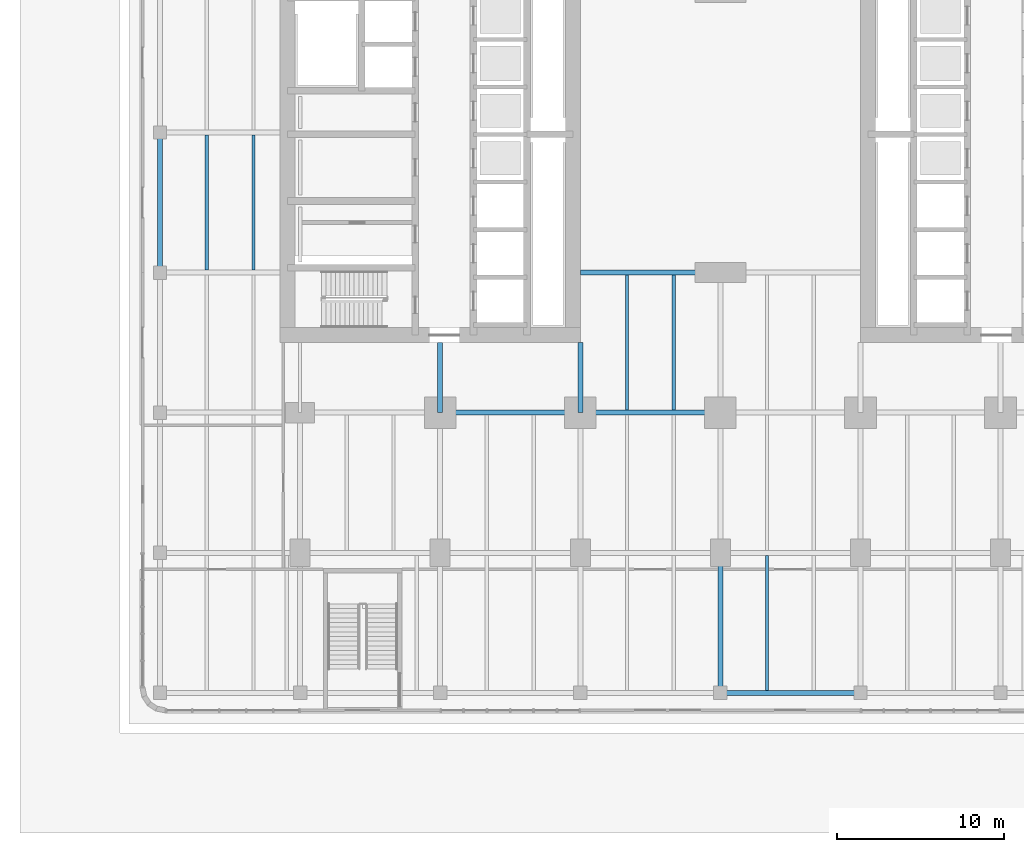
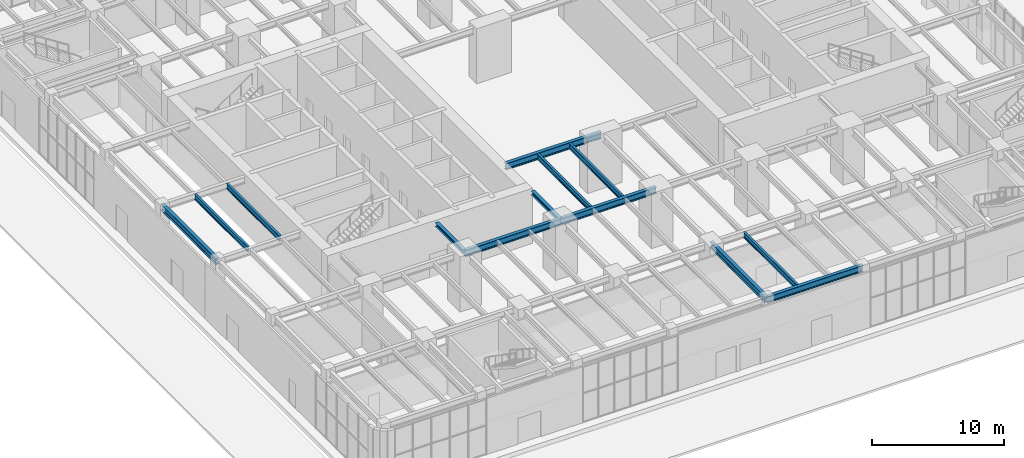
# One storey, part 4 of 31: 13 beams.
"""IFC4 building model written with IfcOpenShell, lengths in metres."""

import ifcopenshell
import ifcopenshell.guid

model = None  # the IFC model being written
_history = None  # IfcOwnerHistory: only IFC2X3 demands one
_inside = {}  # id of a spatial element -> (the spatial element, [elements in it])
_under = {}  # id of a project, library or spatial element -> (it, [spatial elements below it])
_declared = {}  # id of a project -> (the project, [libraries it declares])
_typed = {}  # id of a type object -> (the type object, [elements of that type])
_made_of = {}  # id of a material, layer set ... -> (it, [elements and type objects made of it])


def new_model(schema):
    """Start an empty IFC model of exactly this schema.

    Asked for "IFC4X3", IfcOpenShell would pick the latest addendum, in which some entities
    have other attributes; the version numbers below select the first issue.
    IFC2X3 requires an IfcOwnerHistory on every rooted entity: one is made here for all.
    """
    global model, _history
    if schema == "IFC4X3":
        model = ifcopenshell.file(schema_version=(4, 3, 0, 0))
    else:
        model = ifcopenshell.file(schema=schema)
    _inside.clear()
    _under.clear()
    _declared.clear()
    _typed.clear()
    _made_of.clear()
    _history = None
    if model.schema == "IFC2X3":
        org = make("IfcOrganization", Name="unknown")
        user = make(
            "IfcPersonAndOrganization",
            ThePerson=make("IfcPerson", FamilyName="unknown"),
            TheOrganization=org,
        )
        app = make(
            "IfcApplication",
            ApplicationDeveloper=org,
            Version="unknown",
            ApplicationFullName="unknown",
            ApplicationIdentifier="unknown",
        )
        _history = make(
            "IfcOwnerHistory",
            OwningUser=user,
            OwningApplication=app,
            ChangeAction="ADDED",
            CreationDate=0,
        )
    return model


def make(cls, **values):
    """One entity of the class cls with the attributes given. An attribute that is None is left unset."""
    return model.create_entity(
        cls, **{name: value for name, value in values.items() if value is not None}
    )


def rooted(cls, **values):
    """An entity with a GlobalId (a new one), such as an element, a storey or a relation."""
    return make(cls, GlobalId=ifcopenshell.guid.new(), OwnerHistory=_history, **values)


def si_unit(unit_type, name, prefix=None):
    """IfcSIUnit, for example si_unit("LENGTHUNIT", "METRE", prefix="MILLI")."""
    return make("IfcSIUnit", UnitType=unit_type, Prefix=prefix, Name=name)


def assignment(units):
    """IfcUnitAssignment: the units of a project."""
    return None if units is None else make("IfcUnitAssignment", Units=units)


def point(xyz):
    """IfcCartesianPoint."""
    return None if xyz is None else make("IfcCartesianPoint", Coordinates=xyz)


def direction(xyz):
    """IfcDirection."""
    return None if xyz is None else make("IfcDirection", DirectionRatios=xyz)


def frame(location, z_axis=None, x_axis=None):
    """IfcAxis2Placement3D, a coordinate frame: its origin and axes. An axis left out is left unset."""
    return make(
        "IfcAxis2Placement3D",
        Location=point(location),
        Axis=direction(z_axis),
        RefDirection=direction(x_axis),
    )


def frame_2d(location, x_axis=None):
    """IfcAxis2Placement2D, a coordinate frame in the plane: its origin and x axis."""
    return make(
        "IfcAxis2Placement2D", Location=point(location), RefDirection=direction(x_axis)
    )


def origin():
    """The frame at (0, 0, 0) with its axes left unset."""
    return frame((0.0, 0.0, 0.0))


def origin_2d():
    """The frame at (0, 0) in the plane with its x axis left unset."""
    return frame_2d((0.0, 0.0))


def place(relative_to, where):
    """IfcLocalPlacement: puts the frame where relative to a parent placement (None: the world)."""
    return make(
        "IfcLocalPlacement", PlacementRelTo=relative_to, RelativePlacement=where
    )


def context(
    kind, dimensions, precision=None, world=None, true_north=None, identifier=None
):
    """IfcGeometricRepresentationContext, for example the 3D "Model" context."""
    return make(
        "IfcGeometricRepresentationContext",
        ContextIdentifier=identifier,
        ContextType=kind,
        CoordinateSpaceDimension=dimensions,
        Precision=precision,
        WorldCoordinateSystem=world,
        TrueNorth=true_north,
    )


def subcontext(parent, identifier, kind, view, scale=None):
    """IfcGeometricRepresentationSubContext, for example "Body" below "Model"."""
    return make(
        "IfcGeometricRepresentationSubContext",
        ContextIdentifier=identifier,
        ContextType=kind,
        ParentContext=parent,
        TargetScale=scale,
        TargetView=view,
    )


def project(units=None, contexts=None):
    """IfcProject with its units and contexts."""
    return rooted(
        "IfcProject",
        Name="project",
        RepresentationContexts=contexts,
        UnitsInContext=assignment(units),
    )


def spatial(cls, under=None, at=None, **own):
    """A site, building, storey or space (cls), placed at a placement, below another one or the project."""
    s = rooted(cls, ObjectPlacement=at, **own)
    if under is not None:
        _under.setdefault(under.id(), (under, []))[1].append(s)
    return s


def profile(cls, at=None, kind="AREA", **sizes):
    """A parametric profile (cls). Its sizes go by their IFC names, for example OverallWidth=200.0."""
    return make(cls, ProfileType=kind, Position=at, **sizes)


def i_section(**sizes):
    """IfcIShapeProfileDef."""
    return profile("IfcIShapeProfileDef", **sizes)


def extrude(swept, where, along, depth):
    """IfcExtrudedAreaSolid: the profile swept, set in the frame where, extruded along a direction by depth."""
    return make(
        "IfcExtrudedAreaSolid",
        SweptArea=swept,
        Position=where,
        ExtrudedDirection=direction(along),
        Depth=depth,
    )


def shape(context_of_items, identifier, shape_type, items):
    """IfcShapeRepresentation: the items that make up one representation, for example the "Body"."""
    return make(
        "IfcShapeRepresentation",
        ContextOfItems=context_of_items,
        RepresentationIdentifier=identifier,
        RepresentationType=shape_type,
        Items=items,
    )


def material(Name=None, Category=None):
    """IfcMaterial."""
    return make("IfcMaterial", Name=Name, Category=Category)


def material_profile(
    of_material, cross_section, Name=None, Category=None, Priority=None
):
    """IfcMaterialProfile: a cross section and its material."""
    return make(
        "IfcMaterialProfile",
        Name=Name,
        Material=of_material,
        Profile=cross_section,
        Priority=Priority,
        Category=Category,
    )


def profile_set(profiles, Name=None, composite=None):
    """IfcMaterialProfileSet."""
    return make(
        "IfcMaterialProfileSet",
        Name=Name,
        MaterialProfiles=profiles,
        CompositeProfile=composite,
    )


def made_of(thing, what):
    """Note that an element or type object is made of a material, layer set ...; save() writes the relation."""
    if what is not None:
        _made_of.setdefault(what.id(), (what, []))[1].append(thing)
    return thing


def type_object(cls, material=None, **own):
    """A type object (cls), such as IfcWallType, which elements share."""
    return made_of(rooted(cls, **own), material)


def element(
    cls,
    number,
    at=None,
    inside=None,
    cuts=None,
    type_object=None,
    material=None,
    context=None,
    identifier="Body",
    shape_type=None,
    held_by="IfcProductDefinitionShape",
    body=None,
    shapes=None,
    **own,
):
    """One element of the class cls, such as IfcWall. Its Tag is "e" and its number.

    at: its placement. inside: the storey or other place that contains it. cuts: it is an
    opening in that element (IfcRelVoidsElement). A single representation is given by context,
    identifier, shape_type and body (its items); several are given by shapes. held_by: the class
    of the entity that holds the representations. save() writes the other relations.
    """
    e = rooted(cls, Tag="e%d" % number, ObjectPlacement=at, **own)
    if body is not None:
        shapes = [shape(context, identifier, shape_type, body)]
    if shapes is not None:
        e.Representation = make(held_by, Representations=shapes)
    if inside is not None:
        _inside.setdefault(inside.id(), (inside, []))[1].append(e)
    if cuts is not None:
        rooted(
            "IfcRelVoidsElement", RelatingBuildingElement=cuts, RelatedOpeningElement=e
        )
    if type_object is not None:
        _typed.setdefault(type_object.id(), (type_object, []))[1].append(e)
    return made_of(e, material)


def aggregate(whole, parts):
    """IfcRelAggregates: a whole, such as a stair, and the parts it consists of."""
    return rooted("IfcRelAggregates", RelatingObject=whole, RelatedObjects=parts)


def save(model, path):
    """Write the relations noted so far, then the file.

    IfcRelAggregates (storeys below a building ...), IfcRelContainedInSpatialStructure (elements
    in a storey), IfcRelDefinesByType, IfcRelAssociatesMaterial and IfcRelDeclares: one each for
    every whole, place, type object, material and project.
    """
    for whole, parts in _under.values():
        aggregate(whole, parts)
    for where, things in _inside.values():
        rooted(
            "IfcRelContainedInSpatialStructure",
            RelatedElements=things,
            RelatingStructure=where,
        )
    for kind, things in _typed.values():
        rooted("IfcRelDefinesByType", RelatedObjects=things, RelatingType=kind)
    for what, things in _made_of.values():
        rooted("IfcRelAssociatesMaterial", RelatedObjects=things, RelatingMaterial=what)
    for by, libraries in _declared.values():
        rooted("IfcRelDeclares", RelatingContext=by, RelatedDefinitions=libraries)
    model.write(path)


model = new_model("IFC4")

# Units and contexts
model_context = context("Model", 3, precision=1e-05, world=origin(), true_north=direction((0.0, 1.0)))
body_context = subcontext(model_context, "Body", "Model", "MODEL_VIEW")
ifc_project = project(units=[si_unit("LENGTHUNIT", "METRE"), si_unit("AREAUNIT", "SQUARE_METRE"), si_unit("VOLUMEUNIT", "CUBIC_METRE"), si_unit("PLANEANGLEUNIT", "RADIAN"), si_unit("MASSUNIT", "GRAM", prefix="KILO")], contexts=[model_context])

# Site, building, storey
site_placement = place(None, origin())
site = spatial("IfcSite", under=ifc_project, at=site_placement, CompositionType="ELEMENT")
building_placement = place(site_placement, origin())
building = spatial("IfcBuilding", under=site, at=building_placement, Name="Claustro Exchange Tower", CompositionType="ELEMENT")
storey_placement = place(building_placement, origin())
storey = spatial("IfcBuildingStorey", under=building, at=storey_placement, Name="L00", CompositionType="ELEMENT", Elevation=0.0)

# Beams
ifc_material_1 = material(Name="Steel S355", Category="steel")
ifc_material_profile_1 = material_profile(ifc_material_1, i_section(OverallWidth=0.300048828125, OverallDepth=0.60009765625, WebThickness=0.015380859375, FlangeThickness=0.030029296875, FilletRadius=0.027099609375, at=origin_2d()), Name="HE 600 B")
ifc_profile_set_1 = profile_set([ifc_material_profile_1], Name="Steel S355")
beam_type_1 = type_object("IfcBeamType", Name="B1 HE 600 B floor girder", PredefinedType="BEAM", material=ifc_profile_set_1)
for number, where, z_axis, x_axis, name in (
    (1, (-8.39990234375, 16.800048828125, 4.89990234375), (0.0, 1.0, 0.0), (-1.0, 0.0, 0.0), "Beam B1 L01"),
    (2, (25.199951171875, -8.39990234375, 4.89990234375), (0.0, 1.0, 0.0), (-1.0, 0.0, 0.0), "Beam B1 L01"),
):
    element("IfcBeam", number, at=place(storey_placement, frame(where, z_axis=z_axis, x_axis=x_axis)), inside=storey, type_object=beam_type_1, Name=name, PredefinedType="BEAM", context=body_context, shape_type="SweptSolid", body=[
        extrude(i_section(OverallWidth=0.300048828125, OverallDepth=0.60009765625, WebThickness=0.015380859375, FlangeThickness=0.030029296875, FilletRadius=0.027099609375, at=origin_2d()), origin(), (0.0, 0.0, 1.0), 8.39990234375),
    ])
for number, where, z_axis, x_axis, name in (
    (3, (25.199951171875, -8.39990234375, 4.89990234375), (1.0, 0.0, 0.0), (0.0, 1.0, 0.0), "Beam B1 L01"),
    (4, (8.39990234375, 8.39990234375, 4.89990234375), (1.0, 0.0, 0.0), (0.0, 1.0, 0.0), "Beam B1 L01"),
):
    element("IfcBeam", number, at=place(storey_placement, frame(where, z_axis=z_axis, x_axis=x_axis)), inside=storey, type_object=beam_type_1, Name=name, PredefinedType="BEAM", context=body_context, shape_type="SweptSolid", body=[
        extrude(i_section(OverallWidth=0.300048828125, OverallDepth=0.60009765625, WebThickness=0.015380859375, FlangeThickness=0.030029296875, FilletRadius=0.027099609375, at=origin_2d()), origin(), (0.0, 0.0, 1.0), 8.400146484375),
    ])
for number, where, z_axis, x_axis, name in (
    (5, (16.800048828125, 8.39990234375, 4.89990234375), (1.0, 0.0, 0.0), (0.0, 1.0, 0.0), "Beam B1 L01"),
    (6, (16.800048828125, 16.800048828125, 4.89990234375), (1.0, 0.0, 0.0), (0.0, 1.0, 0.0), "Beam B1 L01"),
):
    element("IfcBeam", number, at=place(storey_placement, frame(where, z_axis=z_axis, x_axis=x_axis)), inside=storey, type_object=beam_type_1, Name=name, PredefinedType="BEAM", context=body_context, shape_type="SweptSolid", body=[
        extrude(i_section(OverallWidth=0.300048828125, OverallDepth=0.60009765625, WebThickness=0.015380859375, FlangeThickness=0.030029296875, FilletRadius=0.027099609375, at=origin_2d()), origin(), (0.0, 0.0, 1.0), 8.39990234375),
    ])
ifc_material_2 = material(Name="Steel S355", Category="steel")
ifc_material_profile_2 = material_profile(ifc_material_2, i_section(OverallWidth=0.199951171875, OverallDepth=0.5, WebThickness=0.01025390625, FlangeThickness=0.01611328125, FilletRadius=0.02099609375, at=origin_2d()), Name="IPE 500")
ifc_profile_set_2 = profile_set([ifc_material_profile_2], Name="Steel S355")
beam_type_2 = type_object("IfcBeamType", Name="B2 IPE 500 secondary beam", PredefinedType="BEAM", material=ifc_profile_set_2)
for number, where, z_axis, x_axis, name in (
    (7, (-5.60009765625, 16.949951171875, 4.949951171875), (0.0, 1.0, 0.0), (-1.0, 0.0, 0.0), "Beam B2 L01"),
    (8, (-2.800048828125, 16.949951171875, 4.949951171875), (0.0, 1.0, 0.0), (-1.0, 0.0, 0.0), "Beam B2 L01"),
):
    element("IfcBeam", number, at=place(storey_placement, frame(where, z_axis=z_axis, x_axis=x_axis)), inside=storey, type_object=beam_type_2, Name=name, PredefinedType="BEAM", context=body_context, shape_type="SweptSolid", body=[
        extrude(i_section(OverallWidth=0.199951171875, OverallDepth=0.5, WebThickness=0.01025390625, FlangeThickness=0.01611328125, FilletRadius=0.02099609375, at=origin_2d()), origin(), (0.0, 0.0, 1.0), 8.10009765625),
    ])
for number, where, z_axis, x_axis, name in (
    (9, (19.60009765625, 8.550048828125, 4.949951171875), (0.0, 1.0, 0.0), (-1.0, 0.0, 0.0), "Beam B2 L01"),
    (10, (22.39990234375, 8.550048828125, 4.949951171875), (0.0, 1.0, 0.0), (-1.0, 0.0, 0.0), "Beam B2 L01"),
):
    element("IfcBeam", number, at=place(storey_placement, frame(where, z_axis=z_axis, x_axis=x_axis)), inside=storey, type_object=beam_type_2, Name=name, PredefinedType="BEAM", context=body_context, shape_type="SweptSolid", body=[
        extrude(i_section(OverallWidth=0.199951171875, OverallDepth=0.5, WebThickness=0.01025390625, FlangeThickness=0.01611328125, FilletRadius=0.02099609375, at=origin_2d()), origin(), (0.0, 0.0, 1.0), 8.099853515625),
    ])
beam_placement = place(storey_placement, frame((28.0, -8.25, 4.949951171875), z_axis=(0.0, 1.0, 0.0), x_axis=(-1.0, 0.0, 0.0)))
element("IfcBeam", 11, at=beam_placement, inside=storey, type_object=beam_type_2, Name="Beam B2 L01", PredefinedType="BEAM", context=body_context, shape_type="SweptSolid", body=[
    extrude(i_section(OverallWidth=0.199951171875, OverallDepth=0.5, WebThickness=0.01025390625, FlangeThickness=0.01611328125, FilletRadius=0.02099609375, at=origin_2d()), origin(), (0.0, 0.0, 1.0), 8.10009765625),
])
ifc_material_3 = material(Name="Steel S355", Category="steel")
ifc_material_profile_3 = material_profile(ifc_material_3, i_section(OverallWidth=0.300048828125, OverallDepth=0.360107421875, WebThickness=0.012451171875, FlangeThickness=0.0224609375, FilletRadius=0.027099609375, at=origin_2d()), Name="HE 360 B")
ifc_profile_set_3 = profile_set([ifc_material_profile_3], Name="Steel S355")
beam_type_3 = type_object("IfcBeamType", Name="B29 HE 360 B column to core link beam", PredefinedType="BEAM", material=ifc_profile_set_3)
for number, where, z_axis, x_axis, name in (
    (12, (8.39990234375, 8.39990234375, 5.02001953125), (0.0, 1.0, 0.0), (-1.0, 0.0, 0.0), "Beam B29 L01"),
    (13, (16.800048828125, 8.39990234375, 5.02001953125), (0.0, 1.0, 0.0), (-1.0, 0.0, 0.0), "Beam B29 L01"),
):
    element("IfcBeam", number, at=place(storey_placement, frame(where, z_axis=z_axis, x_axis=x_axis)), inside=storey, type_object=beam_type_3, Name=name, PredefinedType="BEAM", context=body_context, shape_type="SweptSolid", body=[
        extrude(i_section(OverallWidth=0.300048828125, OverallDepth=0.360107421875, WebThickness=0.012451171875, FlangeThickness=0.0224609375, FilletRadius=0.027099609375, at=origin_2d()), origin(), (0.0, 0.0, 1.0), 4.2001953125),
    ])

save(model, "model.ifc")
